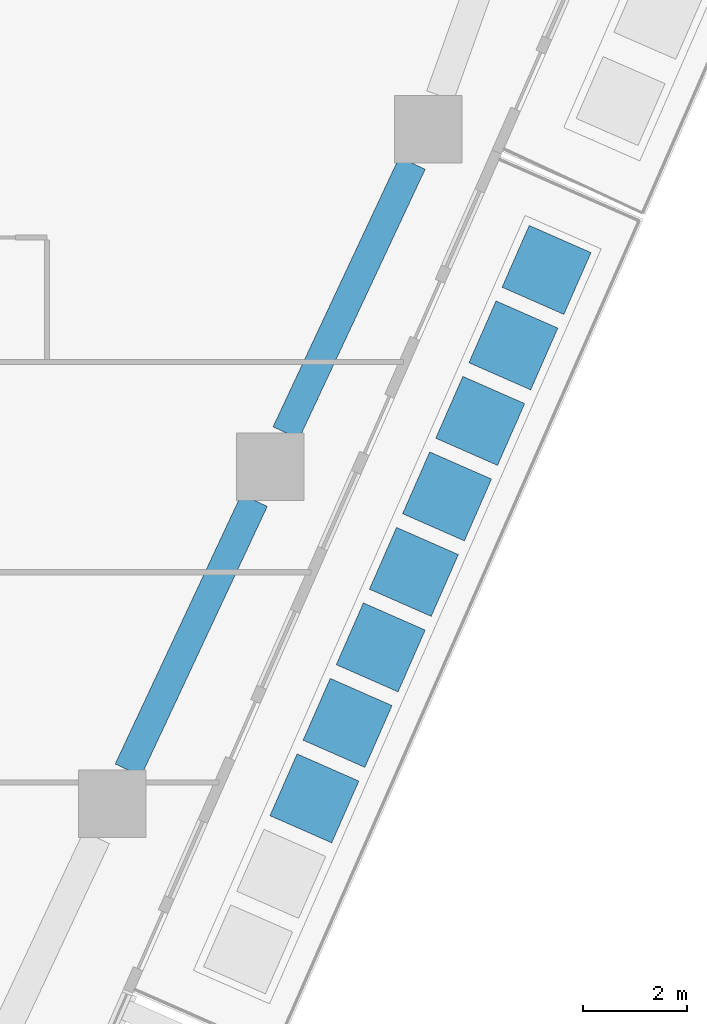
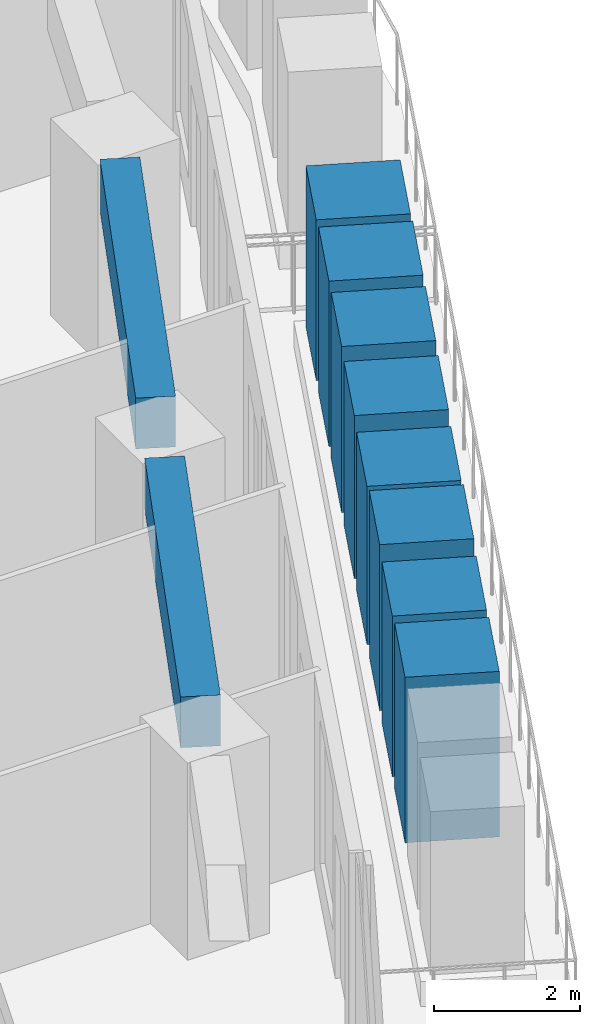
# One storey, part 5 of 23: 8 members, 2 beams.
"""IFC4 building model written with IfcOpenShell, lengths in metres."""

import ifcopenshell
import ifcopenshell.guid

model = None  # the IFC model being written
_history = None  # IfcOwnerHistory: only IFC2X3 demands one
_inside = {}  # id of a spatial element -> (the spatial element, [elements in it])
_under = {}  # id of a project, library or spatial element -> (it, [spatial elements below it])
_declared = {}  # id of a project -> (the project, [libraries it declares])
_typed = {}  # id of a type object -> (the type object, [elements of that type])
_made_of = {}  # id of a material, layer set ... -> (it, [elements and type objects made of it])


def new_model(schema):
    """Start an empty IFC model of exactly this schema.

    Asked for "IFC4X3", IfcOpenShell would pick the latest addendum, in which some entities
    have other attributes; the version numbers below select the first issue.
    IFC2X3 requires an IfcOwnerHistory on every rooted entity: one is made here for all.
    """
    global model, _history
    if schema == "IFC4X3":
        model = ifcopenshell.file(schema_version=(4, 3, 0, 0))
    else:
        model = ifcopenshell.file(schema=schema)
    _inside.clear()
    _under.clear()
    _declared.clear()
    _typed.clear()
    _made_of.clear()
    _history = None
    if model.schema == "IFC2X3":
        org = make("IfcOrganization", Name="unknown")
        user = make(
            "IfcPersonAndOrganization",
            ThePerson=make("IfcPerson", FamilyName="unknown"),
            TheOrganization=org,
        )
        app = make(
            "IfcApplication",
            ApplicationDeveloper=org,
            Version="unknown",
            ApplicationFullName="unknown",
            ApplicationIdentifier="unknown",
        )
        _history = make(
            "IfcOwnerHistory",
            OwningUser=user,
            OwningApplication=app,
            ChangeAction="ADDED",
            CreationDate=0,
        )
    return model


def make(cls, **values):
    """One entity of the class cls with the attributes given. An attribute that is None is left unset."""
    return model.create_entity(
        cls, **{name: value for name, value in values.items() if value is not None}
    )


def rooted(cls, **values):
    """An entity with a GlobalId (a new one), such as an element, a storey or a relation."""
    return make(cls, GlobalId=ifcopenshell.guid.new(), OwnerHistory=_history, **values)


def si_unit(unit_type, name, prefix=None):
    """IfcSIUnit, for example si_unit("LENGTHUNIT", "METRE", prefix="MILLI")."""
    return make("IfcSIUnit", UnitType=unit_type, Prefix=prefix, Name=name)


def assignment(units):
    """IfcUnitAssignment: the units of a project."""
    return None if units is None else make("IfcUnitAssignment", Units=units)


def point(xyz):
    """IfcCartesianPoint."""
    return None if xyz is None else make("IfcCartesianPoint", Coordinates=xyz)


def direction(xyz):
    """IfcDirection."""
    return None if xyz is None else make("IfcDirection", DirectionRatios=xyz)


def frame(location, z_axis=None, x_axis=None):
    """IfcAxis2Placement3D, a coordinate frame: its origin and axes. An axis left out is left unset."""
    return make(
        "IfcAxis2Placement3D",
        Location=point(location),
        Axis=direction(z_axis),
        RefDirection=direction(x_axis),
    )


def frame_2d(location, x_axis=None):
    """IfcAxis2Placement2D, a coordinate frame in the plane: its origin and x axis."""
    return make(
        "IfcAxis2Placement2D", Location=point(location), RefDirection=direction(x_axis)
    )


def origin():
    """The frame at (0, 0, 0) with its axes left unset."""
    return frame((0.0, 0.0, 0.0))


def origin_2d():
    """The frame at (0, 0) in the plane with its x axis left unset."""
    return frame_2d((0.0, 0.0))


def place(relative_to, where):
    """IfcLocalPlacement: puts the frame where relative to a parent placement (None: the world)."""
    return make(
        "IfcLocalPlacement", PlacementRelTo=relative_to, RelativePlacement=where
    )


def context(
    kind, dimensions, precision=None, world=None, true_north=None, identifier=None
):
    """IfcGeometricRepresentationContext, for example the 3D "Model" context."""
    return make(
        "IfcGeometricRepresentationContext",
        ContextIdentifier=identifier,
        ContextType=kind,
        CoordinateSpaceDimension=dimensions,
        Precision=precision,
        WorldCoordinateSystem=world,
        TrueNorth=true_north,
    )


def subcontext(parent, identifier, kind, view, scale=None):
    """IfcGeometricRepresentationSubContext, for example "Body" below "Model"."""
    return make(
        "IfcGeometricRepresentationSubContext",
        ContextIdentifier=identifier,
        ContextType=kind,
        ParentContext=parent,
        TargetScale=scale,
        TargetView=view,
    )


def project(units=None, contexts=None):
    """IfcProject with its units and contexts."""
    return rooted(
        "IfcProject",
        Name="project",
        RepresentationContexts=contexts,
        UnitsInContext=assignment(units),
    )


def spatial(cls, under=None, at=None, **own):
    """A site, building, storey or space (cls), placed at a placement, below another one or the project."""
    s = rooted(cls, ObjectPlacement=at, **own)
    if under is not None:
        _under.setdefault(under.id(), (under, []))[1].append(s)
    return s


def profile(cls, at=None, kind="AREA", **sizes):
    """A parametric profile (cls). Its sizes go by their IFC names, for example OverallWidth=200.0."""
    return make(cls, ProfileType=kind, Position=at, **sizes)


def rectangle(**sizes):
    """IfcRectangleProfileDef."""
    return profile("IfcRectangleProfileDef", **sizes)


def extrude(swept, where, along, depth):
    """IfcExtrudedAreaSolid: the profile swept, set in the frame where, extruded along a direction by depth."""
    return make(
        "IfcExtrudedAreaSolid",
        SweptArea=swept,
        Position=where,
        ExtrudedDirection=direction(along),
        Depth=depth,
    )


def shape(context_of_items, identifier, shape_type, items):
    """IfcShapeRepresentation: the items that make up one representation, for example the "Body"."""
    return make(
        "IfcShapeRepresentation",
        ContextOfItems=context_of_items,
        RepresentationIdentifier=identifier,
        RepresentationType=shape_type,
        Items=items,
    )


def material(Name=None, Category=None):
    """IfcMaterial."""
    return make("IfcMaterial", Name=Name, Category=Category)


def material_profile(
    of_material, cross_section, Name=None, Category=None, Priority=None
):
    """IfcMaterialProfile: a cross section and its material."""
    return make(
        "IfcMaterialProfile",
        Name=Name,
        Material=of_material,
        Profile=cross_section,
        Priority=Priority,
        Category=Category,
    )


def profile_set(profiles, Name=None, composite=None):
    """IfcMaterialProfileSet."""
    return make(
        "IfcMaterialProfileSet",
        Name=Name,
        MaterialProfiles=profiles,
        CompositeProfile=composite,
    )


def made_of(thing, what):
    """Note that an element or type object is made of a material, layer set ...; save() writes the relation."""
    if what is not None:
        _made_of.setdefault(what.id(), (what, []))[1].append(thing)
    return thing


def type_object(cls, material=None, **own):
    """A type object (cls), such as IfcWallType, which elements share."""
    return made_of(rooted(cls, **own), material)


def element(
    cls,
    number,
    at=None,
    inside=None,
    cuts=None,
    type_object=None,
    material=None,
    context=None,
    identifier="Body",
    shape_type=None,
    held_by="IfcProductDefinitionShape",
    body=None,
    shapes=None,
    **own,
):
    """One element of the class cls, such as IfcWall. Its Tag is "e" and its number.

    at: its placement. inside: the storey or other place that contains it. cuts: it is an
    opening in that element (IfcRelVoidsElement). A single representation is given by context,
    identifier, shape_type and body (its items); several are given by shapes. held_by: the class
    of the entity that holds the representations. save() writes the other relations.
    """
    e = rooted(cls, Tag="e%d" % number, ObjectPlacement=at, **own)
    if body is not None:
        shapes = [shape(context, identifier, shape_type, body)]
    if shapes is not None:
        e.Representation = make(held_by, Representations=shapes)
    if inside is not None:
        _inside.setdefault(inside.id(), (inside, []))[1].append(e)
    if cuts is not None:
        rooted(
            "IfcRelVoidsElement", RelatingBuildingElement=cuts, RelatedOpeningElement=e
        )
    if type_object is not None:
        _typed.setdefault(type_object.id(), (type_object, []))[1].append(e)
    return made_of(e, material)


def aggregate(whole, parts):
    """IfcRelAggregates: a whole, such as a stair, and the parts it consists of."""
    return rooted("IfcRelAggregates", RelatingObject=whole, RelatedObjects=parts)


def save(model, path):
    """Write the relations noted so far, then the file.

    IfcRelAggregates (storeys below a building ...), IfcRelContainedInSpatialStructure (elements
    in a storey), IfcRelDefinesByType, IfcRelAssociatesMaterial and IfcRelDeclares: one each for
    every whole, place, type object, material and project.
    """
    for whole, parts in _under.values():
        aggregate(whole, parts)
    for where, things in _inside.values():
        rooted(
            "IfcRelContainedInSpatialStructure",
            RelatedElements=things,
            RelatingStructure=where,
        )
    for kind, things in _typed.values():
        rooted("IfcRelDefinesByType", RelatedObjects=things, RelatingType=kind)
    for what, things in _made_of.values():
        rooted("IfcRelAssociatesMaterial", RelatedObjects=things, RelatingMaterial=what)
    for by, libraries in _declared.values():
        rooted("IfcRelDeclares", RelatingContext=by, RelatedDefinitions=libraries)
    model.write(path)


model = new_model("IFC4")

# Units and contexts
model_context = context("Model", 3, precision=1e-05, world=origin(), true_north=direction((0.0, 1.0)))
body_context = subcontext(model_context, "Body", "Model", "MODEL_VIEW")
ifc_project = project(units=[si_unit("LENGTHUNIT", "METRE"), si_unit("AREAUNIT", "SQUARE_METRE"), si_unit("VOLUMEUNIT", "CUBIC_METRE"), si_unit("PLANEANGLEUNIT", "RADIAN"), si_unit("MASSUNIT", "GRAM", prefix="KILO")], contexts=[model_context])

# Site, building, storey
site_placement = place(None, origin())
site = spatial("IfcSite", under=ifc_project, at=site_placement, CompositionType="ELEMENT")
building_placement = place(site_placement, origin())
building = spatial("IfcBuilding", under=site, at=building_placement, Name="Dongbaek Canopy Tower", CompositionType="ELEMENT")
storey_placement = place(building_placement, frame((0.0, 0.0, 132.199951171875)))
storey = spatial("IfcBuildingStorey", under=building, at=storey_placement, Name="L29", CompositionType="ELEMENT", Elevation=132.199951171875)

# Beams
ifc_material_1 = material(Name="Concrete C80", Category="concrete")
ifc_material_profile_1 = material_profile(ifc_material_1, rectangle(XDim=0.550048828125, YDim=0.85009765625, at=origin_2d()), Name="RC EDGE BEAM 550x850 C80")
ifc_profile_set_1 = profile_set([ifc_material_profile_1], Name="Concrete C80")
beam_type = type_object("IfcBeamType", Name="RC EDGE BEAM 550x850 C80", PredefinedType="BEAM", material=ifc_profile_set_1)
beam_1_placement = place(storey_placement, frame((27.131591796875, -0.81494140625, 2.875), z_axis=(-0.424053070164, -0.90563734115, 0.0), x_axis=(0.90563734115, -0.424053070164, 0.0)))
element("IfcBeam", 1, at=beam_1_placement, inside=storey, type_object=beam_type, Name="EDGEBEAM:L29:22", PredefinedType="BEAM", context=body_context, shape_type="SweptSolid", body=[
    extrude(rectangle(XDim=0.550048828125, YDim=0.85009765625, at=origin_2d()), origin(), (0.0, 0.0, 1.0), 5.733154296875),
])
beam_2_placement = place(storey_placement, frame((24.091796875, -7.306884765625, 2.875), z_axis=(-0.424022586017, -0.905651614335, 0.0), x_axis=(0.905651614335, -0.424022586017, 0.0)))
element("IfcBeam", 2, at=beam_2_placement, inside=storey, type_object=beam_type, Name="EDGEBEAM:L29:23", PredefinedType="BEAM", context=body_context, shape_type="SweptSolid", body=[
    extrude(rectangle(XDim=0.550048828125, YDim=0.85009765625, at=origin_2d()), origin(), (0.0, 0.0, 1.0), 5.734130859375),
])

# Members
ifc_material_2 = material(Name="Concrete C40/50 planter mass with planting", Category="concrete")
ifc_material_profile_2 = material_profile(ifc_material_2, rectangle(XDim=1.300048828125, YDim=1.300048828125, at=origin_2d()), Name="Terrace PLANTER shrub mass 1300 x 1300")
ifc_profile_set_2 = profile_set([ifc_material_profile_2], Name="Concrete C40/50 planter mass with planting")
member_type = type_object("IfcMemberType", Name="Terrace PLANTER shrub mass 1300 x 1300", PredefinedType="USERDEFINED", material=ifc_profile_set_2)
member_1_placement = place(storey_placement, frame((25.24755859375, -13.045166015625, 0.420166015625), z_axis=(0.0, 0.0, 1.0), x_axis=(0.915562348389, -0.402176063698, 0.0)))
element("IfcMember", 3, at=member_1_placement, inside=storey, type_object=member_type, Name="Planter shrubs L29 4.3", ObjectType="PLANTER", PredefinedType="USERDEFINED", context=body_context, shape_type="SweptSolid", body=[
    extrude(rectangle(XDim=1.300048828125, YDim=1.300048828125, at=origin_2d()), origin(), (0.0, 0.0, 1.0), 2.769775390625),
])
member_2_placement = place(storey_placement, frame((25.885986328125, -11.591552734375, 0.420166015625), z_axis=(0.0, 0.0, 1.0), x_axis=(0.915562348389, -0.402176063698, 0.0)))
element("IfcMember", 4, at=member_2_placement, inside=storey, type_object=member_type, Name="Planter shrubs L29 4.4", ObjectType="PLANTER", PredefinedType="USERDEFINED", context=body_context, shape_type="SweptSolid", body=[
    extrude(rectangle(XDim=1.300048828125, YDim=1.300048828125, at=origin_2d()), origin(), (0.0, 0.0, 1.0), 2.68994140625),
])
member_3_placement = place(storey_placement, frame((26.524658203125, -10.137939453125, 0.420166015625), z_axis=(0.0, 0.0, 1.0), x_axis=(0.915562348389, -0.402176063698, 0.0)))
element("IfcMember", 5, at=member_3_placement, inside=storey, type_object=member_type, Name="Planter shrubs L29 4.5", ObjectType="PLANTER", PredefinedType="USERDEFINED", context=body_context, shape_type="SweptSolid", body=[
    extrude(rectangle(XDim=1.300048828125, YDim=1.300048828125, at=origin_2d()), origin(), (0.0, 0.0, 1.0), 2.77978515625),
])
member_4_placement = place(storey_placement, frame((27.1630859375, -8.684326171875, 0.420166015625), z_axis=(0.0, 0.0, 1.0), x_axis=(0.915562348389, -0.402176063698, 0.0)))
element("IfcMember", 6, at=member_4_placement, inside=storey, type_object=member_type, Name="Planter shrubs L29 4.6", ObjectType="PLANTER", PredefinedType="USERDEFINED", context=body_context, shape_type="SweptSolid", body=[
    extrude(rectangle(XDim=1.300048828125, YDim=1.300048828125, at=origin_2d()), origin(), (0.0, 0.0, 1.0), 2.64990234375),
])
member_5_placement = place(storey_placement, frame((27.8017578125, -7.230712890625, 0.420166015625), z_axis=(0.0, 0.0, 1.0), x_axis=(0.915562348389, -0.402176063698, 0.0)))
element("IfcMember", 7, at=member_5_placement, inside=storey, type_object=member_type, Name="Planter shrubs L29 4.7", ObjectType="PLANTER", PredefinedType="USERDEFINED", context=body_context, shape_type="SweptSolid", body=[
    extrude(rectangle(XDim=1.300048828125, YDim=1.300048828125, at=origin_2d()), origin(), (0.0, 0.0, 1.0), 2.72998046875),
])
member_6_placement = place(storey_placement, frame((28.440185546875, -5.777099609375, 0.420166015625), z_axis=(0.0, 0.0, 1.0), x_axis=(0.915562348389, -0.402176063698, 0.0)))
element("IfcMember", 8, at=member_6_placement, inside=storey, type_object=member_type, Name="Planter shrubs L29 4.8", ObjectType="PLANTER", PredefinedType="USERDEFINED", context=body_context, shape_type="SweptSolid", body=[
    extrude(rectangle(XDim=1.300048828125, YDim=1.300048828125, at=origin_2d()), origin(), (0.0, 0.0, 1.0), 2.77978515625),
])
member_7_placement = place(storey_placement, frame((29.07861328125, -4.323486328125, 0.420166015625), z_axis=(0.0, 0.0, 1.0), x_axis=(0.915562348389, -0.402176063698, 0.0)))
element("IfcMember", 9, at=member_7_placement, inside=storey, type_object=member_type, Name="Planter shrubs L29 4.9", ObjectType="PLANTER", PredefinedType="USERDEFINED", context=body_context, shape_type="SweptSolid", body=[
    extrude(rectangle(XDim=1.300048828125, YDim=1.300048828125, at=origin_2d()), origin(), (0.0, 0.0, 1.0), 2.769775390625),
])
member_8_placement = place(storey_placement, frame((29.71728515625, -2.869873046875, 0.420166015625), z_axis=(0.0, 0.0, 1.0), x_axis=(0.915562348389, -0.402176063698, 0.0)))
element("IfcMember", 10, at=member_8_placement, inside=storey, type_object=member_type, Name="Planter shrubs L29 4.10", ObjectType="PLANTER", PredefinedType="USERDEFINED", context=body_context, shape_type="SweptSolid", body=[
    extrude(rectangle(XDim=1.300048828125, YDim=1.300048828125, at=origin_2d()), origin(), (0.0, 0.0, 1.0), 2.68994140625),
])

save(model, "model.ifc")
